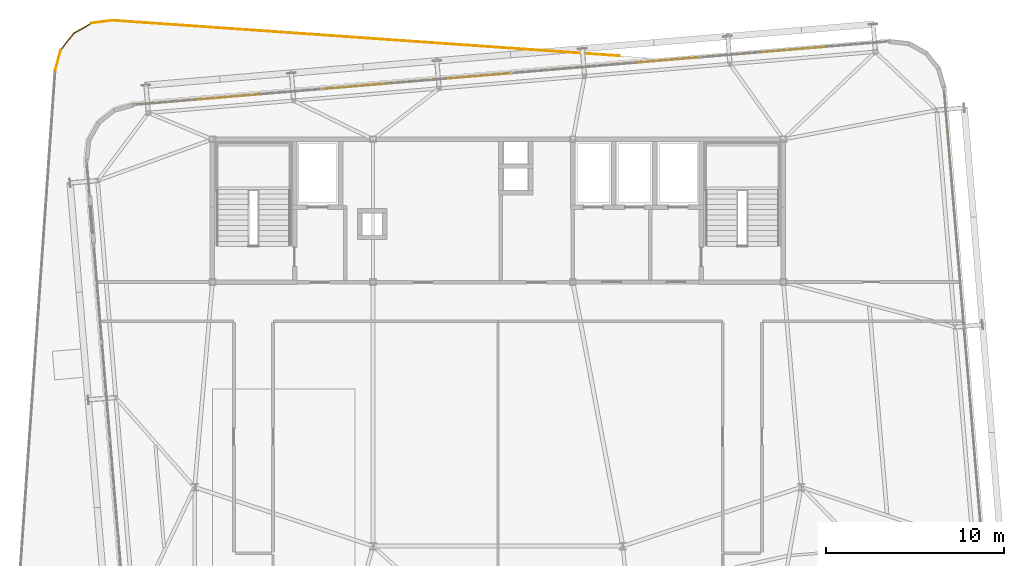
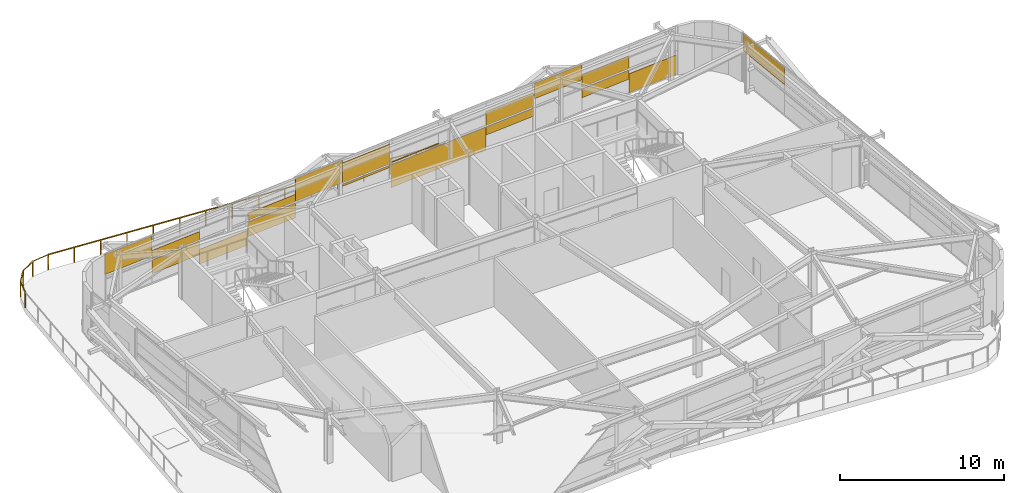
# One storey, part 38 of 38: 18 coverings, 5 railings.
"""IFC4 building model written with IfcOpenShell, lengths in metres."""

from ifc_helpers import new_model, si_unit, direction, frame, origin, origin_2d, place, context, subcontext, project, spatial, rectangle, extrude, source, transform, mapped, material, layer, layer_set, type_object, element, save


model = new_model("IFC4")

# Units and contexts
model_context = context("Model", 3, precision=1e-05, world=origin(), true_north=direction((0.0, 1.0)))
body_context = subcontext(model_context, "Body", "Model", "MODEL_VIEW")
ifc_project = project(units=[si_unit("LENGTHUNIT", "METRE"), si_unit("AREAUNIT", "SQUARE_METRE"), si_unit("VOLUMEUNIT", "CUBIC_METRE"), si_unit("PLANEANGLEUNIT", "RADIAN"), si_unit("MASSUNIT", "GRAM", prefix="KILO")], contexts=[model_context])

# Site, building, storey
site_placement = place(None, origin())
site = spatial("IfcSite", under=ifc_project, at=site_placement, CompositionType="ELEMENT")
building_placement = place(site_placement, origin())
building = spatial("IfcBuilding", under=site, at=building_placement, Name="Taldren Reach Tower", CompositionType="ELEMENT")
storey_placement = place(building_placement, frame((0.0, 0.0, 168.699951171875)))
storey = spatial("IfcBuildingStorey", under=building, at=storey_placement, Name="L51", CompositionType="ELEMENT", Elevation=168.699951171875)

# Railings
ifc_material_1 = material(Name="Laminated Glass and Pale-Anodised Aluminium Balustrade", Category="aluminium")
ifc_layer_1 = layer(ifc_material_1, 0.070068359375)
ifc_layer_set_1 = layer_set([ifc_layer_1], Name="Laminated Glass and Pale-Anodised Aluminium Balustrade")
railing_type = type_object("IfcRailingType", Name="RL-TERR-1150", PredefinedType="GUARDRAIL", material=ifc_layer_set_1)
railing_1_placement = place(storey_placement, frame((10.18994140625, 35.879638671875, 0.0)))
element("IfcRailing", 1, at=railing_1_placement, inside=storey, type_object=railing_type, Name="Outdoor terrace guardrail TERR-L51-1-05", PredefinedType="GUARDRAIL", context=body_context, shape_type="SweptSolid", body=[
    extrude(rectangle(XDim=0.047852, YDim=0.047852, at=origin_2d()), frame((0.0, 0.0, 1.1259765625), z_axis=(0.26304680142, 0.9647830742, 0.0), x_axis=(-0.9647830742, 0.26304680142, 0.0)), (0.0, 0.0, 1.0), 1.17041015625),
    extrude(rectangle(XDim=0.041992, YDim=0.041992, at=origin_2d()), origin(), (0.0, 0.0, 1.0), 1.101806640625),
    extrude(rectangle(XDim=0.041992, YDim=0.041992, at=origin_2d()), frame((0.307861328125, 1.129150390625, 0.0)), (0.0, 0.0, 1.0), 1.101806640625),
])
railing_2_placement = place(storey_placement, frame((10.497802734375, 37.0087890625, 0.0)))
element("IfcRailing", 2, at=railing_2_placement, inside=storey, type_object=railing_type, Name="Outdoor terrace guardrail TERR-L51-1-06", PredefinedType="GUARDRAIL", context=body_context, shape_type="SweptSolid", body=[
    extrude(rectangle(XDim=0.047852, YDim=0.047852, at=origin_2d()), frame((0.0, 0.0, 1.1259765625), z_axis=(0.612177399833, 0.790720450687, 0.0), x_axis=(-0.790720450687, 0.612177399833, 0.0)), (0.0, 0.0, 1.0), 1.17041015625),
    extrude(rectangle(XDim=0.041992, YDim=0.041992, at=origin_2d()), origin(), (0.0, 0.0, 1.0), 1.101806640625),
    extrude(rectangle(XDim=0.041992, YDim=0.041992, at=origin_2d()), frame((0.716552734375, 0.925537109375, 0.0)), (0.0, 0.0, 1.0), 1.101806640625),
])
railing_3_placement = place(storey_placement, frame((11.21435546875, 37.934326171875, 0.0)))
element("IfcRailing", 3, at=railing_3_placement, inside=storey, type_object=railing_type, Name="Outdoor terrace guardrail TERR-L51-1-07", PredefinedType="GUARDRAIL", context=body_context, shape_type="SweptSolid", body=[
    extrude(rectangle(XDim=0.047852, YDim=0.047852, at=origin_2d()), frame((0.0, 0.0, 1.1259765625), z_axis=(0.868140459057, 0.496318590573, 0.0), x_axis=(-0.496318590573, 0.868140459057, 0.0)), (0.0, 0.0, 1.0), 1.170654296875),
    extrude(rectangle(XDim=0.041992, YDim=0.041992, at=origin_2d()), origin(), (0.0, 0.0, 1.0), 1.101806640625),
    extrude(rectangle(XDim=0.041992, YDim=0.041992, at=origin_2d()), frame((1.016357421875, 0.5810546875, 0.0)), (0.0, 0.0, 1.0), 1.101806640625),
])
railing_4_placement = place(storey_placement, frame((12.230712890625, 38.515380859375, 0.0)))
element("IfcRailing", 4, at=railing_4_placement, inside=storey, type_object=railing_type, Name="Outdoor terrace guardrail TERR-L51-1-08", PredefinedType="GUARDRAIL", context=body_context, shape_type="SweptSolid", body=[
    extrude(rectangle(XDim=0.047852, YDim=0.047852, at=origin_2d()), frame((0.0, 0.0, 1.1259765625), z_axis=(0.992005984193, 0.12619083693, 0.0), x_axis=(-0.12619083693, 0.992005984193, 0.0)), (0.0, 0.0, 1.0), 1.17041015625),
    extrude(rectangle(XDim=0.041992, YDim=0.041992, at=origin_2d()), origin(), (0.0, 0.0, 1.0), 1.101806640625),
    extrude(rectangle(XDim=0.041992, YDim=0.041992, at=origin_2d()), frame((1.1611328125, 0.147705078125, 0.0)), (0.0, 0.0, 1.0), 1.101806640625),
])
railing_5_placement = place(storey_placement, frame((13.391845703125, 38.6630859375, 0.0)))
element("IfcRailing", 5, at=railing_5_placement, inside=storey, type_object=railing_type, Name="Outdoor terrace guardrail TERR-L51-1-09", PredefinedType="GUARDRAIL", context=body_context, shape_type="SweptSolid", body=[
    extrude(rectangle(XDim=0.047852, YDim=0.047852, at=origin_2d()), frame((0.0, 0.0, 1.1259765625), z_axis=(0.997563578107, -0.069763225522, 0.0), x_axis=(0.069763225522, 0.997563578107, 0.0)), (0.0, 0.0, 1.0), 28.496826171875),
    extrude(rectangle(XDim=0.041992, YDim=0.041992, at=origin_2d()), origin(), (0.0, 0.0, 1.0), 1.101806640625),
    extrude(rectangle(XDim=0.041992, YDim=0.041992, at=origin_2d()), frame((1.776611328125, -0.124267578125, 0.0)), (0.0, 0.0, 1.0), 1.101806640625),
    extrude(rectangle(XDim=0.041992, YDim=0.041992, at=origin_2d()), frame((3.553466796875, -0.24853515625, 0.0)), (0.0, 0.0, 1.0), 1.101806640625),
    extrude(rectangle(XDim=0.041992, YDim=0.041992, at=origin_2d()), frame((5.330078125, -0.372802734375, 0.0)), (0.0, 0.0, 1.0), 1.101806640625),
    extrude(rectangle(XDim=0.041992, YDim=0.041992, at=origin_2d()), frame((7.10693359375, -0.4970703125, 0.0)), (0.0, 0.0, 1.0), 1.101806640625),
    extrude(rectangle(XDim=0.041992, YDim=0.041992, at=origin_2d()), frame((8.883544921875, -0.621337890625, 0.0)), (0.0, 0.0, 1.0), 1.101806640625),
    extrude(rectangle(XDim=0.041992, YDim=0.041992, at=origin_2d()), frame((10.660400390625, -0.74560546875, 0.0)), (0.0, 0.0, 1.0), 1.101806640625),
    extrude(rectangle(XDim=0.041992, YDim=0.041992, at=origin_2d()), frame((12.43701171875, -0.869873046875, 0.0)), (0.0, 0.0, 1.0), 1.101806640625),
    extrude(rectangle(XDim=0.041992, YDim=0.041992, at=origin_2d()), frame((14.2138671875, -0.994140625, 0.0)), (0.0, 0.0, 1.0), 1.101806640625),
    extrude(rectangle(XDim=0.041992, YDim=0.041992, at=origin_2d()), frame((15.990478515625, -1.1181640625, 0.0)), (0.0, 0.0, 1.0), 1.101806640625),
    extrude(rectangle(XDim=0.041992, YDim=0.041992, at=origin_2d()), frame((17.76708984375, -1.242431640625, 0.0)), (0.0, 0.0, 1.0), 1.101806640625),
    extrude(rectangle(XDim=0.041992, YDim=0.041992, at=origin_2d()), frame((19.5439453125, -1.36669921875, 0.0)), (0.0, 0.0, 1.0), 1.101806640625),
    extrude(rectangle(XDim=0.041992, YDim=0.041992, at=origin_2d()), frame((21.320556640625, -1.490966796875, 0.0)), (0.0, 0.0, 1.0), 1.101806640625),
    extrude(rectangle(XDim=0.041992, YDim=0.041992, at=origin_2d()), frame((23.097412109375, -1.615234375, 0.0)), (0.0, 0.0, 1.0), 1.101806640625),
    extrude(rectangle(XDim=0.041992, YDim=0.041992, at=origin_2d()), frame((24.8740234375, -1.739501953125, 0.0)), (0.0, 0.0, 1.0), 1.101806640625),
    extrude(rectangle(XDim=0.041992, YDim=0.041992, at=origin_2d()), frame((26.65087890625, -1.86376953125, 0.0)), (0.0, 0.0, 1.0), 1.101806640625),
    extrude(rectangle(XDim=0.041992, YDim=0.041992, at=origin_2d()), frame((28.427490234375, -1.988037109375, 0.0)), (0.0, 0.0, 1.0), 1.101806640625),
])

# Coverings
ifc_material_2 = material(Name="Pale Champagne Fluoropolymer Aluminium Spandrel Cladding", Category="aluminium")
ifc_layer_2 = layer(ifc_material_2, 0.0439453125)
ifc_layer_set_2 = layer_set([ifc_layer_2], Name="Pale Champagne Fluoropolymer Aluminium Spandrel Cladding")
covering_type = type_object("IfcCoveringType", Name="CV-CLAD-044", PredefinedType="CLADDING", material=ifc_layer_set_2)
shared_shape_1 = source(origin(), body_context, "Body", "SweptSolid", [
    extrude(rectangle(XDim=3.504150390625, YDim=0.0439453125, at=origin_2d()), origin(), (0.0, 0.0, 1.0), 1.421142578125),
])
covering_1_placement = place(storey_placement, frame((55.09423828125, 37.328125, 0.06005859375), z_axis=(0.0, 0.0, 1.0), x_axis=(-0.99649285657, -0.083677875247, 0.0)))
element("IfcCovering", 6, at=covering_1_placement, inside=storey, type_object=covering_type, Name="Diagrid closure cladding strip CW-7 panel 1.1 1", PredefinedType="CLADDING", context=body_context, shape_type="MappedRepresentation", body=[
    mapped(shared_shape_1, transform((0.0, 0.0, 0.0), scale=1.0)),
])
shared_shape_2 = source(origin(), body_context, "Body", "SweptSolid", [
    extrude(rectangle(XDim=3.504150390625, YDim=0.0439453125, at=origin_2d()), origin(), (0.0, 0.0, 1.0), 0.669189453125),
])
covering_2_placement = place(storey_placement, frame((51.602294921875, 37.034912109375, 1.0859375), z_axis=(0.0, 0.0, 1.0), x_axis=(-0.99649285657, -0.083677875247, 0.0)))
element("IfcCovering", 7, at=covering_2_placement, inside=storey, type_object=covering_type, Name="Diagrid closure cladding strip CW-7 panel 1.1 2", PredefinedType="CLADDING", context=body_context, shape_type="MappedRepresentation", body=[
    mapped(shared_shape_2, transform((0.0, 0.0, 0.0), scale=1.0)),
])
shared_shape_3 = source(origin(), body_context, "Body", "SweptSolid", [
    extrude(rectangle(XDim=3.5166015625, YDim=0.0439453125, at=origin_2d()), origin(), (0.0, 0.0, 1.0), 0.592041015625),
])
covering_3_placement = place(storey_placement, frame((44.53759765625, 36.44189453125, 1.1630859375), z_axis=(0.0, 0.0, 1.0), x_axis=(-0.99649285657, -0.083677875247, 0.0)))
element("IfcCovering", 8, at=covering_3_placement, inside=storey, type_object=covering_type, Name="Diagrid closure cladding strip CW-7 panel 2.1 1", PredefinedType="CLADDING", context=body_context, shape_type="MappedRepresentation", body=[
    mapped(shared_shape_3, transform((0.0, 0.0, 0.0), scale=1.0)),
])
shared_shape_4 = source(origin(), body_context, "Body", "SweptSolid", [
    extrude(rectangle(XDim=7.033447265625, YDim=0.0439453125, at=origin_2d()), origin(), (0.0, 0.0, 1.0), 1.695068359375),
])
covering_4_placement = place(storey_placement, frame((39.281005859375, 36.00048828125, 0.06005859375), z_axis=(0.0, 0.0, 1.0), x_axis=(-0.99649285657, -0.083677875247, 0.0)))
element("IfcCovering", 9, at=covering_4_placement, inside=storey, type_object=covering_type, Name="Diagrid closure cladding strip CW-7 panel 2.1 2", PredefinedType="CLADDING", context=body_context, shape_type="MappedRepresentation", body=[
    mapped(shared_shape_4, transform((0.0, 0.0, 0.0), scale=1.0)),
])
shared_shape_5 = source(origin(), body_context, "Body", "SweptSolid", [
    extrude(rectangle(XDim=3.5166015625, YDim=0.0439453125, at=origin_2d()), origin(), (0.0, 0.0, 1.0), 0.1533203125),
])
covering_5_placement = place(storey_placement, frame((33.949951171875, 35.552734375, 1.601806640625), z_axis=(0.0, 0.0, 1.0), x_axis=(-0.99649285657, -0.083677875247, 0.0)))
element("IfcCovering", 10, at=covering_5_placement, inside=storey, type_object=covering_type, Name="Diagrid closure cladding strip CW-7 panel 3.1 1", PredefinedType="CLADDING", context=body_context, shape_type="MappedRepresentation", body=[
    mapped(shared_shape_5, transform((0.0, 0.0, 0.0), scale=1.0)),
])
shared_shape_6 = source(origin(), body_context, "Body", "SweptSolid", [
    extrude(rectangle(XDim=3.5166015625, YDim=0.0439453125, at=origin_2d()), origin(), (0.0, 0.0, 1.0), 1.0888671875),
])
covering_6_placement = place(storey_placement, frame((26.941162109375, 34.964111328125, 0.666259765625), z_axis=(0.0, 0.0, 1.0), x_axis=(-0.99649285657, -0.083677875247, 0.0)))
element("IfcCovering", 11, at=covering_6_placement, inside=storey, type_object=covering_type, Name="Diagrid closure cladding strip CW-7 panel 3.1 2", PredefinedType="CLADDING", context=body_context, shape_type="MappedRepresentation", body=[
    mapped(shared_shape_6, transform((0.0, 0.0, 0.0), scale=1.0)),
])
shared_shape_7 = source(origin(), body_context, "Body", "SweptSolid", [
    extrude(rectangle(XDim=3.504150390625, YDim=0.0439453125, at=origin_2d()), origin(), (0.0, 0.0, 1.0), 1.08349609375),
])
covering_7_placement = place(storey_placement, frame((23.368408203125, 34.6640625, 0.06005859375), z_axis=(0.0, 0.0, 1.0), x_axis=(-0.99649285657, -0.083677875247, 0.0)))
element("IfcCovering", 12, at=covering_7_placement, inside=storey, type_object=covering_type, Name="Diagrid closure cladding strip CW-7 panel 4.1 1", PredefinedType="CLADDING", context=body_context, shape_type="MappedRepresentation", body=[
    mapped(shared_shape_7, transform((0.0, 0.0, 0.0), scale=1.0)),
])
shared_shape_8 = source(origin(), body_context, "Body", "SweptSolid", [
    extrude(rectangle(XDim=3.504150390625, YDim=0.0439453125, at=origin_2d()), origin(), (0.0, 0.0, 1.0), 1.007080078125),
])
covering_8_placement = place(storey_placement, frame((19.87646484375, 34.370849609375, 0.748046875), z_axis=(0.0, 0.0, 1.0), x_axis=(-0.99649285657, -0.083677875247, 0.0)))
element("IfcCovering", 13, at=covering_8_placement, inside=storey, type_object=covering_type, Name="Diagrid closure cladding strip CW-7 panel 4.1 2", PredefinedType="CLADDING", context=body_context, shape_type="MappedRepresentation", body=[
    mapped(shared_shape_8, transform((0.0, 0.0, 0.0), scale=1.0)),
])
shared_shape_9 = source(origin(), body_context, "Body", "SweptSolid", [
    extrude(rectangle(XDim=3.504150390625, YDim=0.0439453125, at=origin_2d()), origin(), (0.0, 0.0, 1.0), 0.947021484375),
])
covering_9_placement = place(storey_placement, frame((51.602294921875, 37.034912109375, 1.875), z_axis=(0.0, 0.0, 1.0), x_axis=(-0.99649285657, -0.083677875247, 0.0)))
element("IfcCovering", 14, at=covering_9_placement, inside=storey, type_object=covering_type, Name="Diagrid closure cladding strip CW-7 panel 1.1 1", PredefinedType="CLADDING", context=body_context, shape_type="MappedRepresentation", body=[
    mapped(shared_shape_9, transform((0.0, 0.0, 0.0), scale=1.0)),
])
shared_shape_10 = source(origin(), body_context, "Body", "SweptSolid", [
    extrude(rectangle(XDim=3.504150390625, YDim=0.0439453125, at=origin_2d()), origin(), (0.0, 0.0, 1.0), 1.1435546875),
])
covering_10_placement = place(storey_placement, frame((48.1103515625, 36.74169921875, 2.426513671875), z_axis=(0.0, 0.0, 1.0), x_axis=(-0.99649285657, -0.083677875247, 0.0)))
element("IfcCovering", 15, at=covering_10_placement, inside=storey, type_object=covering_type, Name="Diagrid closure cladding strip CW-7 panel 1.1 2", PredefinedType="CLADDING", context=body_context, shape_type="MappedRepresentation", body=[
    mapped(shared_shape_10, transform((0.0, 0.0, 0.0), scale=1.0)),
])
shared_shape_11 = source(origin(), body_context, "Body", "SweptSolid", [
    extrude(rectangle(XDim=3.5166015625, YDim=0.0439453125, at=origin_2d()), origin(), (0.0, 0.0, 1.0), 1.029052734375),
])
covering_11_placement = place(storey_placement, frame((44.53759765625, 36.44189453125, 1.875), z_axis=(0.0, 0.0, 1.0), x_axis=(-0.99649285657, -0.083677875247, 0.0)))
element("IfcCovering", 16, at=covering_11_placement, inside=storey, type_object=covering_type, Name="Diagrid closure cladding strip CW-7 panel 2.1 1", PredefinedType="CLADDING", context=body_context, shape_type="MappedRepresentation", body=[
    mapped(shared_shape_11, transform((0.0, 0.0, 0.0), scale=1.0)),
])
shared_shape_12 = source(origin(), body_context, "Body", "SweptSolid", [
    extrude(rectangle(XDim=3.5166015625, YDim=0.0439453125, at=origin_2d()), origin(), (0.0, 0.0, 1.0), 0.09326171875),
])
covering_12_placement = place(storey_placement, frame((37.52880859375, 35.853271484375, 1.875), z_axis=(0.0, 0.0, 1.0), x_axis=(-0.99649285657, -0.083677875247, 0.0)))
element("IfcCovering", 17, at=covering_12_placement, inside=storey, type_object=covering_type, Name="Diagrid closure cladding strip CW-7 panel 2.1 2", PredefinedType="CLADDING", context=body_context, shape_type="MappedRepresentation", body=[
    mapped(shared_shape_12, transform((0.0, 0.0, 0.0), scale=1.0)),
])
shared_shape_13 = source(origin(), body_context, "Body", "SweptSolid", [
    extrude(rectangle(XDim=3.5166015625, YDim=0.0439453125, at=origin_2d()), origin(), (0.0, 0.0, 1.0), 1.4677734375),
])
covering_13_placement = place(storey_placement, frame((33.949951171875, 35.552734375, 1.875), z_axis=(0.0, 0.0, 1.0), x_axis=(-0.99649285657, -0.083677875247, 0.0)))
element("IfcCovering", 18, at=covering_13_placement, inside=storey, type_object=covering_type, Name="Diagrid closure cladding strip CW-7 panel 3.1 1", PredefinedType="CLADDING", context=body_context, shape_type="MappedRepresentation", body=[
    mapped(shared_shape_13, transform((0.0, 0.0, 0.0), scale=1.0)),
])
shared_shape_14 = source(origin(), body_context, "Body", "SweptSolid", [
    extrude(rectangle(XDim=3.5166015625, YDim=0.0439453125, at=origin_2d()), origin(), (0.0, 0.0, 1.0), 1.695068359375),
])
covering_14_placement = place(storey_placement, frame((30.445556640625, 35.258544921875, 1.875), z_axis=(0.0, 0.0, 1.0), x_axis=(-0.99649285657, -0.083677875247, 0.0)))
element("IfcCovering", 19, at=covering_14_placement, inside=storey, type_object=covering_type, Name="Diagrid closure cladding strip CW-7 panel 3.1 2", PredefinedType="CLADDING", context=body_context, shape_type="MappedRepresentation", body=[
    mapped(shared_shape_14, transform((0.0, 0.0, 0.0), scale=1.0)),
])
shared_shape_15 = source(origin(), body_context, "Body", "SweptSolid", [
    extrude(rectangle(XDim=3.5166015625, YDim=0.0439453125, at=origin_2d()), origin(), (0.0, 0.0, 1.0), 0.5322265625),
])
covering_15_placement = place(storey_placement, frame((26.941162109375, 34.964111328125, 1.875), z_axis=(0.0, 0.0, 1.0), x_axis=(-0.99649285657, -0.083677875247, 0.0)))
element("IfcCovering", 20, at=covering_15_placement, inside=storey, type_object=covering_type, Name="Diagrid closure cladding strip CW-7 panel 3.1 3", PredefinedType="CLADDING", context=body_context, shape_type="MappedRepresentation", body=[
    mapped(shared_shape_15, transform((0.0, 0.0, 0.0), scale=1.0)),
])
shared_shape_16 = source(origin(), body_context, "Body", "SweptSolid", [
    extrude(rectangle(XDim=3.504150390625, YDim=0.0439453125, at=origin_2d()), origin(), (0.0, 0.0, 1.0), 0.609375),
])
covering_16_placement = place(storey_placement, frame((19.87646484375, 34.370849609375, 1.875), z_axis=(0.0, 0.0, 1.0), x_axis=(-0.99649285657, -0.083677875247, 0.0)))
element("IfcCovering", 21, at=covering_16_placement, inside=storey, type_object=covering_type, Name="Diagrid closure cladding strip CW-7 panel 4.1 1", PredefinedType="CLADDING", context=body_context, shape_type="MappedRepresentation", body=[
    mapped(shared_shape_16, transform((0.0, 0.0, 0.0), scale=1.0)),
])
shared_shape_17 = source(origin(), body_context, "Body", "SweptSolid", [
    extrude(rectangle(XDim=3.504150390625, YDim=0.0439453125, at=origin_2d()), origin(), (0.0, 0.0, 1.0), 1.481201171875),
])
covering_17_placement = place(storey_placement, frame((16.384521484375, 34.07763671875, 2.0888671875), z_axis=(0.0, 0.0, 1.0), x_axis=(-0.99649285657, -0.083677875247, 0.0)))
element("IfcCovering", 22, at=covering_17_placement, inside=storey, type_object=covering_type, Name="Diagrid closure cladding strip CW-7 panel 4.1 2", PredefinedType="CLADDING", context=body_context, shape_type="MappedRepresentation", body=[
    mapped(shared_shape_17, transform((0.0, 0.0, 0.0), scale=1.0)),
])
shared_shape_18 = source(origin(), body_context, "Body", "SweptSolid", [
    extrude(rectangle(XDim=4.42919921875, YDim=0.0439453125, at=origin_2d()), origin(), (0.0, 0.0, 1.0), 1.258544921875),
])
covering_18_placement = place(storey_placement, frame((60.19580078125, 32.5888671875, 2.3115234375), z_axis=(0.0, 0.0, 1.0), x_axis=(-0.083677979808, 0.996492847789, 0.0)))
element("IfcCovering", 23, at=covering_18_placement, inside=storey, type_object=covering_type, Name="Diagrid closure cladding strip CW-7 panel 2.1 2", PredefinedType="CLADDING", context=body_context, shape_type="MappedRepresentation", body=[
    mapped(shared_shape_18, transform((0.0, 0.0, 0.0), scale=1.0)),
])

save(model, "model.ifc")
